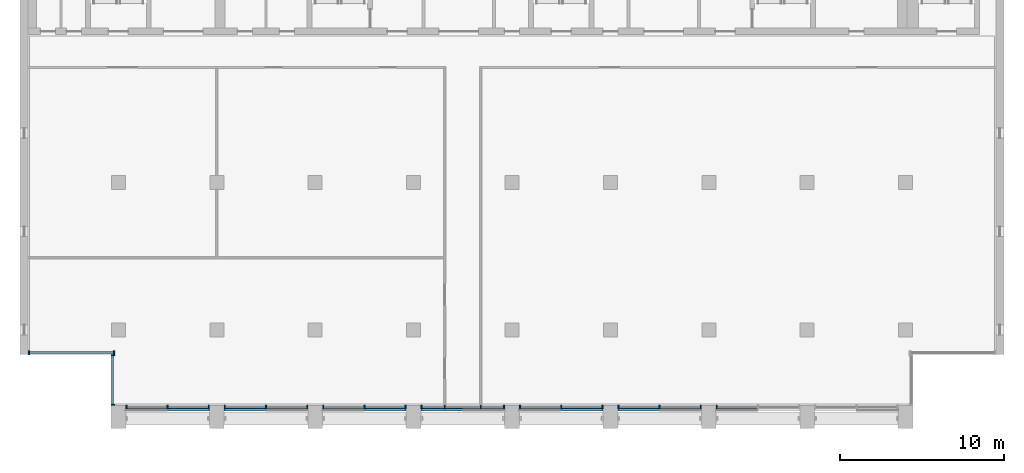
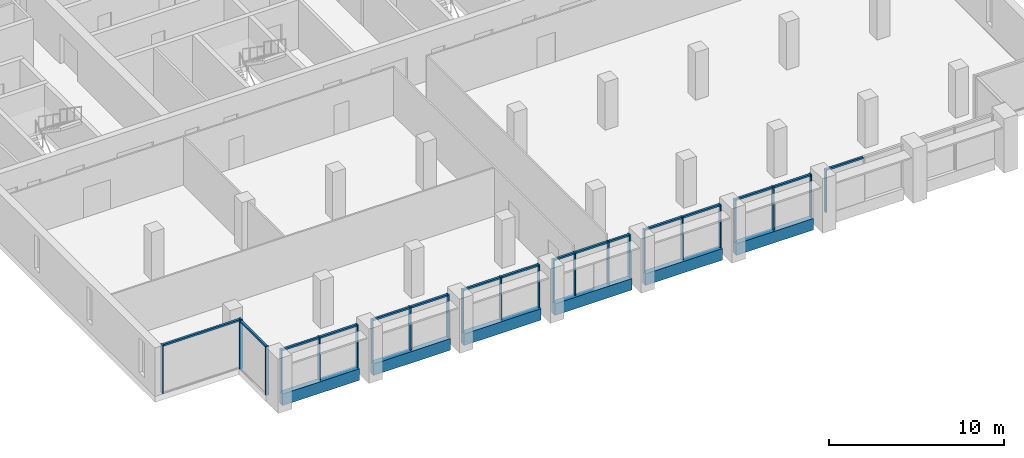
# One storey, part 2 of 14: 40 members, 6 beams, 9 elements without a shape of their own.
"""IFC4 building model written with IfcOpenShell, lengths in metres."""

from ifc_helpers import new_model, si_unit, direction, frame, origin, origin_2d, place, context, subcontext, project, spatial, rectangle, extrude, material, material_profile, profile_set, type_object, element, aggregate, save


model = new_model("IFC4")

# Units and contexts
model_context = context("Model", 3, precision=1e-05, world=origin(), true_north=direction((0.0, 1.0)))
body_context = subcontext(model_context, "Body", "Model", "MODEL_VIEW")
ifc_project = project(units=[si_unit("LENGTHUNIT", "METRE"), si_unit("AREAUNIT", "SQUARE_METRE"), si_unit("VOLUMEUNIT", "CUBIC_METRE"), si_unit("PLANEANGLEUNIT", "RADIAN"), si_unit("MASSUNIT", "GRAM", prefix="KILO")], contexts=[model_context])

# Site, building, storey
site_placement = place(None, origin())
site = spatial("IfcSite", under=ifc_project, at=site_placement, CompositionType="ELEMENT")
building_placement = place(site_placement, origin())
building = spatial("IfcBuilding", under=site, at=building_placement, Name="Calvaro Tower", CompositionType="ELEMENT")
storey_placement = place(building_placement, frame((0.0, 0.0, 250.75)))
storey = spatial("IfcBuildingStorey", under=building, at=storey_placement, Name="L63", CompositionType="ELEMENT", Elevation=250.75)

# Curtain wall, members
ifc_material_1 = material(Name="Anodised aluminium", Category="aluminium")
curtain_wall_type = type_object("IfcCurtainWallType", Name="Executive curtain wall", PredefinedType="NOTDEFINED", material=ifc_material_1)
curtain_wall_1_placement = place(storey_placement, origin())
curtain_wall_1 = element("IfcCurtainWall", 1, at=curtain_wall_1_placement, inside=storey, type_object=curtain_wall_type, Name="CW4 south curtain wall", PredefinedType="NOTDEFINED")
ifc_material_2 = material(Name="Anodised aluminium", Category="aluminium")
ifc_material_profile_1 = material_profile(ifc_material_2, rectangle(XDim=0.219970703125, YDim=0.080078125, at=origin_2d()), Name="Mullion S4 80 x 220")
ifc_profile_set_1 = profile_set([ifc_material_profile_1], Name="Anodised aluminium")
member_type_1 = type_object("IfcMemberType", Name="Mullion S4 80 x 220", PredefinedType="MULLION", material=ifc_profile_set_1)
member_1_placement = place(storey_placement, frame((12.489990234375, 5.2900390625, 0.0), z_axis=(0.0, 0.0, 1.0), x_axis=(0.0, 1.0, 0.0)))
member_1 = element("IfcMember", 2, at=member_1_placement, type_object=member_type_1, Name="CW4 mullion 1", PredefinedType="MULLION", context=body_context, shape_type="SweptSolid", body=[
    extrude(rectangle(XDim=0.219970703125, YDim=0.080078125, at=origin_2d()), origin(), (0.0, 0.0, 1.0), 3.0),
])
member_2_placement = place(storey_placement, frame((15.0, 5.2900390625, 0.0), z_axis=(0.0, 0.0, 1.0), x_axis=(0.0, 1.0, 0.0)))
member_2 = element("IfcMember", 3, at=member_2_placement, type_object=member_type_1, Name="CW4 mullion 2", PredefinedType="MULLION", context=body_context, shape_type="SweptSolid", body=[
    extrude(rectangle(XDim=0.219970703125, YDim=0.080078125, at=origin_2d()), origin(), (0.0, 0.0, 1.0), 3.0),
])
member_3_placement = place(storey_placement, frame((17.510009765625, 5.2900390625, 0.0), z_axis=(0.0, 0.0, 1.0), x_axis=(0.0, 1.0, 0.0)))
member_3 = element("IfcMember", 4, at=member_3_placement, type_object=member_type_1, Name="CW4 mullion 3", PredefinedType="MULLION", context=body_context, shape_type="SweptSolid", body=[
    extrude(rectangle(XDim=0.219970703125, YDim=0.080078125, at=origin_2d()), origin(), (0.0, 0.0, 1.0), 3.0),
])

curtain_wall_2_placement = place(storey_placement, origin())
curtain_wall_2 = element("IfcCurtainWall", 5, at=curtain_wall_2_placement, inside=storey, type_object=curtain_wall_type, Name="CW4 south curtain wall", PredefinedType="NOTDEFINED")
member_4_placement = place(storey_placement, frame((18.489990234375, 5.2900390625, 0.0), z_axis=(0.0, 0.0, 1.0), x_axis=(0.0, 1.0, 0.0)))
member_4 = element("IfcMember", 6, at=member_4_placement, type_object=member_type_1, Name="CW4 mullion 1", PredefinedType="MULLION", context=body_context, shape_type="SweptSolid", body=[
    extrude(rectangle(XDim=0.219970703125, YDim=0.080078125, at=origin_2d()), origin(), (0.0, 0.0, 1.0), 3.0),
])
member_5_placement = place(storey_placement, frame((21.0, 5.2900390625, 0.0), z_axis=(0.0, 0.0, 1.0), x_axis=(0.0, 1.0, 0.0)))
member_5 = element("IfcMember", 7, at=member_5_placement, type_object=member_type_1, Name="CW4 mullion 2", PredefinedType="MULLION", context=body_context, shape_type="SweptSolid", body=[
    extrude(rectangle(XDim=0.219970703125, YDim=0.080078125, at=origin_2d()), origin(), (0.0, 0.0, 1.0), 3.0),
])
member_6_placement = place(storey_placement, frame((23.510009765625, 5.2900390625, 0.0), z_axis=(0.0, 0.0, 1.0), x_axis=(0.0, 1.0, 0.0)))
member_6 = element("IfcMember", 8, at=member_6_placement, type_object=member_type_1, Name="CW4 mullion 3", PredefinedType="MULLION", context=body_context, shape_type="SweptSolid", body=[
    extrude(rectangle(XDim=0.219970703125, YDim=0.080078125, at=origin_2d()), origin(), (0.0, 0.0, 1.0), 3.0),
])

curtain_wall_3_placement = place(storey_placement, origin())
curtain_wall_3 = element("IfcCurtainWall", 9, at=curtain_wall_3_placement, inside=storey, type_object=curtain_wall_type, Name="CW4 south curtain wall", PredefinedType="NOTDEFINED")
member_7_placement = place(storey_placement, frame((24.489990234375, 5.2900390625, 0.0), z_axis=(0.0, 0.0, 1.0), x_axis=(0.0, 1.0, 0.0)))
member_7 = element("IfcMember", 10, at=member_7_placement, type_object=member_type_1, Name="CW4 mullion 1", PredefinedType="MULLION", context=body_context, shape_type="SweptSolid", body=[
    extrude(rectangle(XDim=0.219970703125, YDim=0.080078125, at=origin_2d()), origin(), (0.0, 0.0, 1.0), 3.0),
])
member_8_placement = place(storey_placement, frame((27.0, 5.2900390625, 0.0), z_axis=(0.0, 0.0, 1.0), x_axis=(0.0, 1.0, 0.0)))
member_8 = element("IfcMember", 11, at=member_8_placement, type_object=member_type_1, Name="CW4 mullion 2", PredefinedType="MULLION", context=body_context, shape_type="SweptSolid", body=[
    extrude(rectangle(XDim=0.219970703125, YDim=0.080078125, at=origin_2d()), origin(), (0.0, 0.0, 1.0), 3.0),
])
member_9_placement = place(storey_placement, frame((29.510009765625, 5.2900390625, 0.0), z_axis=(0.0, 0.0, 1.0), x_axis=(0.0, 1.0, 0.0)))
member_9 = element("IfcMember", 12, at=member_9_placement, type_object=member_type_1, Name="CW4 mullion 3", PredefinedType="MULLION", context=body_context, shape_type="SweptSolid", body=[
    extrude(rectangle(XDim=0.219970703125, YDim=0.080078125, at=origin_2d()), origin(), (0.0, 0.0, 1.0), 3.0),
])

curtain_wall_4_placement = place(storey_placement, origin())
curtain_wall_4 = element("IfcCurtainWall", 13, at=curtain_wall_4_placement, inside=storey, type_object=curtain_wall_type, Name="CW4 south curtain wall", PredefinedType="NOTDEFINED")
member_10_placement = place(storey_placement, frame((30.489990234375, 5.2900390625, 0.0), z_axis=(0.0, 0.0, 1.0), x_axis=(0.0, 1.0, 0.0)))
member_10 = element("IfcMember", 14, at=member_10_placement, type_object=member_type_1, Name="CW4 mullion 1", PredefinedType="MULLION", context=body_context, shape_type="SweptSolid", body=[
    extrude(rectangle(XDim=0.219970703125, YDim=0.080078125, at=origin_2d()), origin(), (0.0, 0.0, 1.0), 3.0),
])
member_11_placement = place(storey_placement, frame((31.89990234375, 5.2900390625, 0.0), z_axis=(0.0, 0.0, 1.0), x_axis=(0.0, 1.0, 0.0)))
member_11 = element("IfcMember", 15, at=member_11_placement, type_object=member_type_1, Name="CW4 mullion 2", PredefinedType="MULLION", context=body_context, shape_type="SweptSolid", body=[
    extrude(rectangle(XDim=0.219970703125, YDim=0.080078125, at=origin_2d()), origin(), (0.0, 0.0, 1.0), 3.0),
])
member_12_placement = place(storey_placement, frame((34.10009765625, 5.2900390625, 0.0), z_axis=(0.0, 0.0, 1.0), x_axis=(0.0, 1.0, 0.0)))
member_12 = element("IfcMember", 16, at=member_12_placement, type_object=member_type_1, Name="CW4 mullion 3", PredefinedType="MULLION", context=body_context, shape_type="SweptSolid", body=[
    extrude(rectangle(XDim=0.219970703125, YDim=0.080078125, at=origin_2d()), origin(), (0.0, 0.0, 1.0), 3.0),
])
member_13_placement = place(storey_placement, frame((35.510009765625, 5.2900390625, 0.0), z_axis=(0.0, 0.0, 1.0), x_axis=(0.0, 1.0, 0.0)))
member_13 = element("IfcMember", 17, at=member_13_placement, type_object=member_type_1, Name="CW4 mullion 4", PredefinedType="MULLION", context=body_context, shape_type="SweptSolid", body=[
    extrude(rectangle(XDim=0.219970703125, YDim=0.080078125, at=origin_2d()), origin(), (0.0, 0.0, 1.0), 3.0),
])

curtain_wall_5_placement = place(storey_placement, origin())
curtain_wall_5 = element("IfcCurtainWall", 18, at=curtain_wall_5_placement, inside=storey, type_object=curtain_wall_type, Name="CW4 south curtain wall", PredefinedType="NOTDEFINED")
member_14_placement = place(storey_placement, frame((36.489990234375, 5.2900390625, 0.0), z_axis=(0.0, 0.0, 1.0), x_axis=(0.0, 1.0, 0.0)))
member_14 = element("IfcMember", 19, at=member_14_placement, type_object=member_type_1, Name="CW4 mullion 1", PredefinedType="MULLION", context=body_context, shape_type="SweptSolid", body=[
    extrude(rectangle(XDim=0.219970703125, YDim=0.080078125, at=origin_2d()), origin(), (0.0, 0.0, 1.0), 3.0),
])
member_15_placement = place(storey_placement, frame((39.0, 5.2900390625, 0.0), z_axis=(0.0, 0.0, 1.0), x_axis=(0.0, 1.0, 0.0)))
member_15 = element("IfcMember", 20, at=member_15_placement, type_object=member_type_1, Name="CW4 mullion 2", PredefinedType="MULLION", context=body_context, shape_type="SweptSolid", body=[
    extrude(rectangle(XDim=0.219970703125, YDim=0.080078125, at=origin_2d()), origin(), (0.0, 0.0, 1.0), 3.0),
])
member_16_placement = place(storey_placement, frame((41.510009765625, 5.2900390625, 0.0), z_axis=(0.0, 0.0, 1.0), x_axis=(0.0, 1.0, 0.0)))
member_16 = element("IfcMember", 21, at=member_16_placement, type_object=member_type_1, Name="CW4 mullion 3", PredefinedType="MULLION", context=body_context, shape_type="SweptSolid", body=[
    extrude(rectangle(XDim=0.219970703125, YDim=0.080078125, at=origin_2d()), origin(), (0.0, 0.0, 1.0), 3.0),
])

curtain_wall_6_placement = place(storey_placement, origin())
curtain_wall_6 = element("IfcCurtainWall", 22, at=curtain_wall_6_placement, inside=storey, type_object=curtain_wall_type, Name="CW4 south curtain wall", PredefinedType="NOTDEFINED")
member_17_placement = place(storey_placement, frame((42.489990234375, 5.2900390625, 0.0), z_axis=(0.0, 0.0, 1.0), x_axis=(0.0, 1.0, 0.0)))
member_17 = element("IfcMember", 23, at=member_17_placement, type_object=member_type_1, Name="CW4 mullion 1", PredefinedType="MULLION", context=body_context, shape_type="SweptSolid", body=[
    extrude(rectangle(XDim=0.219970703125, YDim=0.080078125, at=origin_2d()), origin(), (0.0, 0.0, 1.0), 3.0),
])
member_18_placement = place(storey_placement, frame((45.0, 5.2900390625, 0.0), z_axis=(0.0, 0.0, 1.0), x_axis=(0.0, 1.0, 0.0)))
member_18 = element("IfcMember", 24, at=member_18_placement, type_object=member_type_1, Name="CW4 mullion 2", PredefinedType="MULLION", context=body_context, shape_type="SweptSolid", body=[
    extrude(rectangle(XDim=0.219970703125, YDim=0.080078125, at=origin_2d()), origin(), (0.0, 0.0, 1.0), 3.0),
])
member_19_placement = place(storey_placement, frame((47.510009765625, 5.2900390625, 0.0), z_axis=(0.0, 0.0, 1.0), x_axis=(0.0, 1.0, 0.0)))
member_19 = element("IfcMember", 25, at=member_19_placement, type_object=member_type_1, Name="CW4 mullion 3", PredefinedType="MULLION", context=body_context, shape_type="SweptSolid", body=[
    extrude(rectangle(XDim=0.219970703125, YDim=0.080078125, at=origin_2d()), origin(), (0.0, 0.0, 1.0), 3.0),
])

# Curtain wall, member
curtain_wall_7_placement = place(storey_placement, origin())
curtain_wall_7 = element("IfcCurtainWall", 26, at=curtain_wall_7_placement, inside=storey, type_object=curtain_wall_type, Name="CW4 south curtain wall", PredefinedType="NOTDEFINED")
member_20_placement = place(storey_placement, frame((48.489990234375, 5.2900390625, 0.0), z_axis=(0.0, 0.0, 1.0), x_axis=(0.0, 1.0, 0.0)))
member_20 = element("IfcMember", 27, at=member_20_placement, type_object=member_type_1, Name="CW4 mullion 1", PredefinedType="MULLION", context=body_context, shape_type="SweptSolid", body=[
    extrude(rectangle(XDim=0.219970703125, YDim=0.080078125, at=origin_2d()), origin(), (0.0, 0.0, 1.0), 3.0),
])

# Curtain wall, members
curtain_wall_8_placement = place(storey_placement, origin())
curtain_wall_8 = element("IfcCurtainWall", 28, at=curtain_wall_8_placement, inside=storey, type_object=curtain_wall_type, Name="CW4 corner curtain wall", PredefinedType="NOTDEFINED")
member_21_placement = place(storey_placement, frame((11.659912109375, 5.43994140625, 0.0), z_axis=(0.0, 0.0, 1.0), x_axis=(-1.0, 0.0, 0.0)))
member_21 = element("IfcMember", 29, at=member_21_placement, type_object=member_type_1, Name="CW4 mullion 1", PredefinedType="MULLION", context=body_context, shape_type="SweptSolid", body=[
    extrude(rectangle(XDim=0.219970703125, YDim=0.080078125, at=origin_2d()), origin(), (0.0, 0.0, 1.0), 3.39990234375),
])
member_22_placement = place(storey_placement, frame((11.659912109375, 8.4599609375, 0.0), z_axis=(0.0, 0.0, 1.0), x_axis=(-1.0, 0.0, 0.0)))
member_22 = element("IfcMember", 30, at=member_22_placement, type_object=member_type_1, Name="CW4 mullion 2", PredefinedType="MULLION", context=body_context, shape_type="SweptSolid", body=[
    extrude(rectangle(XDim=0.219970703125, YDim=0.080078125, at=origin_2d()), origin(), (0.0, 0.0, 1.0), 3.39990234375),
])

curtain_wall_9_placement = place(storey_placement, origin())
curtain_wall_9 = element("IfcCurtainWall", 31, at=curtain_wall_9_placement, inside=storey, type_object=curtain_wall_type, Name="CW4 corner curtain wall", PredefinedType="NOTDEFINED")
member_23_placement = place(storey_placement, frame((6.5400390625, 8.610107421875, 0.0), z_axis=(0.0, 0.0, 1.0), x_axis=(0.0, 1.0, 0.0)))
member_23 = element("IfcMember", 32, at=member_23_placement, type_object=member_type_1, Name="CW4 mullion 1", PredefinedType="MULLION", context=body_context, shape_type="SweptSolid", body=[
    extrude(rectangle(XDim=0.219970703125, YDim=0.080078125, at=origin_2d()), origin(), (0.0, 0.0, 1.0), 3.39990234375),
])
member_24_placement = place(storey_placement, frame((11.72998046875, 8.610107421875, 0.0), z_axis=(0.0, 0.0, 1.0), x_axis=(0.0, 1.0, 0.0)))
member_24 = element("IfcMember", 33, at=member_24_placement, type_object=member_type_1, Name="CW4 mullion 2", PredefinedType="MULLION", context=body_context, shape_type="SweptSolid", body=[
    extrude(rectangle(XDim=0.219970703125, YDim=0.080078125, at=origin_2d()), origin(), (0.0, 0.0, 1.0), 3.39990234375),
])

# Beams
ifc_material_3 = material(Name="Concrete C50/60 precast", Category="concrete")
ifc_material_profile_2 = material_profile(ifc_material_3, rectangle(XDim=0.35009765625, YDim=0.800048828125, at=origin_2d()), Name="RC 350x800")
ifc_profile_set_2 = profile_set([ifc_material_profile_2], Name="Concrete C50/60 precast")
beam_type = type_object("IfcBeamType", Name="Spandrel beam 350x800 C50/60", PredefinedType="SPANDREL", material=ifc_profile_set_2)
for number, where, z_axis, x_axis, name in (
    (34, (12.449951171875, 5.22509765625, -0.39990234375), (1.0, 0.0, 0.0), (0.0, 1.0, 0.0), "Spandrel beam"),
    (35, (18.449951171875, 5.22509765625, -0.39990234375), (1.0, 0.0, 0.0), (0.0, 1.0, 0.0), "Spandrel beam"),
    (36, (24.449951171875, 5.22509765625, -0.39990234375), (1.0, 0.0, 0.0), (0.0, 1.0, 0.0), "Spandrel beam"),
    (37, (30.449951171875, 5.22509765625, -0.39990234375), (1.0, 0.0, 0.0), (0.0, 1.0, 0.0), "Spandrel beam"),
    (38, (36.449951171875, 5.22509765625, -0.39990234375), (1.0, 0.0, 0.0), (0.0, 1.0, 0.0), "Spandrel beam"),
    (39, (42.449951171875, 5.22509765625, -0.39990234375), (1.0, 0.0, 0.0), (0.0, 1.0, 0.0), "Spandrel beam"),
):
    element("IfcBeam", number, at=place(storey_placement, frame(where, z_axis=z_axis, x_axis=x_axis)), inside=storey, type_object=beam_type, Name=name, PredefinedType="SPANDREL", context=body_context, shape_type="SweptSolid", body=[
        extrude(rectangle(XDim=0.35009765625, YDim=0.800048828125, at=origin_2d()), origin(), (0.0, 0.0, 1.0), 5.10009765625),
    ])

# Member
ifc_material_4 = material(Name="Anodised aluminium", Category="aluminium")
ifc_material_profile_3 = material_profile(ifc_material_4, rectangle(XDim=0.139892578125, YDim=0.1201171875, at=origin_2d()), Name="Transom S4 120 x 140")
ifc_profile_set_3 = profile_set([ifc_material_profile_3], Name="Anodised aluminium")
member_type_2 = type_object("IfcMemberType", Name="Transom S4 120 x 140", PredefinedType="USERDEFINED", material=ifc_profile_set_3)
member_25_placement = place(storey_placement, frame((12.530029296875, 5.2900390625, 2.93994140625), z_axis=(1.0, 0.0, 0.0), x_axis=(0.0, 1.0, 0.0)))
member_25 = element("IfcMember", 40, at=member_25_placement, type_object=member_type_2, Name="CW4 transom 1.1", ObjectType="TRANSOM", PredefinedType="USERDEFINED", context=body_context, shape_type="SweptSolid", body=[
    extrude(rectangle(XDim=0.139892578125, YDim=0.1201171875, at=origin_2d()), origin(), (0.0, 0.0, 1.0), 2.429931640625),
])

member_26_placement = place(storey_placement, frame((15.0400390625, 5.2900390625, 2.93994140625), z_axis=(1.0, 0.0, 0.0), x_axis=(0.0, 1.0, 0.0)))
member_26 = element("IfcMember", 41, at=member_26_placement, type_object=member_type_2, Name="CW4 transom 2.1", ObjectType="TRANSOM", PredefinedType="USERDEFINED", context=body_context, shape_type="SweptSolid", body=[
    extrude(rectangle(XDim=0.139892578125, YDim=0.1201171875, at=origin_2d()), origin(), (0.0, 0.0, 1.0), 2.429931640625),
])

aggregate(curtain_wall_1, [member_1, member_2, member_3, member_25, member_26])

member_27_placement = place(storey_placement, frame((18.530029296875, 5.2900390625, 2.93994140625), z_axis=(1.0, 0.0, 0.0), x_axis=(0.0, 1.0, 0.0)))
member_27 = element("IfcMember", 42, at=member_27_placement, type_object=member_type_2, Name="CW4 transom 1.1", ObjectType="TRANSOM", PredefinedType="USERDEFINED", context=body_context, shape_type="SweptSolid", body=[
    extrude(rectangle(XDim=0.139892578125, YDim=0.1201171875, at=origin_2d()), origin(), (0.0, 0.0, 1.0), 2.429931640625),
])

member_28_placement = place(storey_placement, frame((21.0400390625, 5.2900390625, 2.93994140625), z_axis=(1.0, 0.0, 0.0), x_axis=(0.0, 1.0, 0.0)))
member_28 = element("IfcMember", 43, at=member_28_placement, type_object=member_type_2, Name="CW4 transom 2.1", ObjectType="TRANSOM", PredefinedType="USERDEFINED", context=body_context, shape_type="SweptSolid", body=[
    extrude(rectangle(XDim=0.139892578125, YDim=0.1201171875, at=origin_2d()), origin(), (0.0, 0.0, 1.0), 2.429931640625),
])

aggregate(curtain_wall_2, [member_4, member_5, member_6, member_27, member_28])

member_29_placement = place(storey_placement, frame((24.530029296875, 5.2900390625, 2.93994140625), z_axis=(1.0, 0.0, 0.0), x_axis=(0.0, 1.0, 0.0)))
member_29 = element("IfcMember", 44, at=member_29_placement, type_object=member_type_2, Name="CW4 transom 1.1", ObjectType="TRANSOM", PredefinedType="USERDEFINED", context=body_context, shape_type="SweptSolid", body=[
    extrude(rectangle(XDim=0.139892578125, YDim=0.1201171875, at=origin_2d()), origin(), (0.0, 0.0, 1.0), 2.429931640625),
])

member_30_placement = place(storey_placement, frame((27.0400390625, 5.2900390625, 2.93994140625), z_axis=(1.0, 0.0, 0.0), x_axis=(0.0, 1.0, 0.0)))
member_30 = element("IfcMember", 45, at=member_30_placement, type_object=member_type_2, Name="CW4 transom 2.1", ObjectType="TRANSOM", PredefinedType="USERDEFINED", context=body_context, shape_type="SweptSolid", body=[
    extrude(rectangle(XDim=0.139892578125, YDim=0.1201171875, at=origin_2d()), origin(), (0.0, 0.0, 1.0), 2.429931640625),
])

aggregate(curtain_wall_3, [member_7, member_8, member_9, member_29, member_30])

member_31_placement = place(storey_placement, frame((30.530029296875, 5.2900390625, 2.93994140625), z_axis=(1.0, 0.0, 0.0), x_axis=(0.0, 1.0, 0.0)))
member_31 = element("IfcMember", 46, at=member_31_placement, type_object=member_type_2, Name="CW4 transom 1.1", ObjectType="TRANSOM", PredefinedType="USERDEFINED", context=body_context, shape_type="SweptSolid", body=[
    extrude(rectangle(XDim=0.139892578125, YDim=0.1201171875, at=origin_2d()), origin(), (0.0, 0.0, 1.0), 1.330078125),
])

member_32_placement = place(storey_placement, frame((31.93994140625, 5.2900390625, 2.93994140625), z_axis=(1.0, 0.0, 0.0), x_axis=(0.0, 1.0, 0.0)))
member_32 = element("IfcMember", 47, at=member_32_placement, type_object=member_type_2, Name="CW4 transom 2.1", ObjectType="TRANSOM", PredefinedType="USERDEFINED", context=body_context, shape_type="SweptSolid", body=[
    extrude(rectangle(XDim=0.139892578125, YDim=0.1201171875, at=origin_2d()), origin(), (0.0, 0.0, 1.0), 2.1201171875),
])

member_33_placement = place(storey_placement, frame((34.139892578125, 5.2900390625, 2.93994140625), z_axis=(1.0, 0.0, 0.0), x_axis=(0.0, 1.0, 0.0)))
member_33 = element("IfcMember", 48, at=member_33_placement, type_object=member_type_2, Name="CW4 transom 3.1", ObjectType="TRANSOM", PredefinedType="USERDEFINED", context=body_context, shape_type="SweptSolid", body=[
    extrude(rectangle(XDim=0.139892578125, YDim=0.1201171875, at=origin_2d()), origin(), (0.0, 0.0, 1.0), 1.330078125),
])

aggregate(curtain_wall_4, [member_10, member_11, member_12, member_13, member_31, member_32, member_33])

member_34_placement = place(storey_placement, frame((36.530029296875, 5.2900390625, 2.93994140625), z_axis=(1.0, 0.0, 0.0), x_axis=(0.0, 1.0, 0.0)))
member_34 = element("IfcMember", 49, at=member_34_placement, type_object=member_type_2, Name="CW4 transom 1.1", ObjectType="TRANSOM", PredefinedType="USERDEFINED", context=body_context, shape_type="SweptSolid", body=[
    extrude(rectangle(XDim=0.139892578125, YDim=0.1201171875, at=origin_2d()), origin(), (0.0, 0.0, 1.0), 2.429931640625),
])

member_35_placement = place(storey_placement, frame((39.0400390625, 5.2900390625, 2.93994140625), z_axis=(1.0, 0.0, 0.0), x_axis=(0.0, 1.0, 0.0)))
member_35 = element("IfcMember", 50, at=member_35_placement, type_object=member_type_2, Name="CW4 transom 2.1", ObjectType="TRANSOM", PredefinedType="USERDEFINED", context=body_context, shape_type="SweptSolid", body=[
    extrude(rectangle(XDim=0.139892578125, YDim=0.1201171875, at=origin_2d()), origin(), (0.0, 0.0, 1.0), 2.429931640625),
])

aggregate(curtain_wall_5, [member_14, member_15, member_16, member_34, member_35])

member_36_placement = place(storey_placement, frame((42.530029296875, 5.2900390625, 2.93994140625), z_axis=(1.0, 0.0, 0.0), x_axis=(0.0, 1.0, 0.0)))
member_36 = element("IfcMember", 51, at=member_36_placement, type_object=member_type_2, Name="CW4 transom 1.1", ObjectType="TRANSOM", PredefinedType="USERDEFINED", context=body_context, shape_type="SweptSolid", body=[
    extrude(rectangle(XDim=0.139892578125, YDim=0.1201171875, at=origin_2d()), origin(), (0.0, 0.0, 1.0), 2.429931640625),
])

member_37_placement = place(storey_placement, frame((45.0400390625, 5.2900390625, 2.93994140625), z_axis=(1.0, 0.0, 0.0), x_axis=(0.0, 1.0, 0.0)))
member_37 = element("IfcMember", 52, at=member_37_placement, type_object=member_type_2, Name="CW4 transom 2.1", ObjectType="TRANSOM", PredefinedType="USERDEFINED", context=body_context, shape_type="SweptSolid", body=[
    extrude(rectangle(XDim=0.139892578125, YDim=0.1201171875, at=origin_2d()), origin(), (0.0, 0.0, 1.0), 2.429931640625),
])

aggregate(curtain_wall_6, [member_17, member_18, member_19, member_36, member_37])

member_38_placement = place(storey_placement, frame((48.530029296875, 5.2900390625, 2.93994140625), z_axis=(1.0, 0.0, 0.0), x_axis=(0.0, 1.0, 0.0)))
member_38 = element("IfcMember", 53, at=member_38_placement, type_object=member_type_2, Name="CW4 transom 1.1", ObjectType="TRANSOM", PredefinedType="USERDEFINED", context=body_context, shape_type="SweptSolid", body=[
    extrude(rectangle(XDim=0.139892578125, YDim=0.1201171875, at=origin_2d()), origin(), (0.0, 0.0, 1.0), 2.429931640625),
])

aggregate(curtain_wall_7, [member_20, member_38])

member_39_placement = place(storey_placement, frame((11.659912109375, 5.47998046875, 3.340087890625), z_axis=(0.0, 1.0, 0.0), x_axis=(-1.0, 0.0, 0.0)))
member_39 = element("IfcMember", 54, at=member_39_placement, type_object=member_type_2, Name="CW4 transom 1.1", ObjectType="TRANSOM", PredefinedType="USERDEFINED", context=body_context, shape_type="SweptSolid", body=[
    extrude(rectangle(XDim=0.139892578125, YDim=0.1201171875, at=origin_2d()), origin(), (0.0, 0.0, 1.0), 2.93994140625),
])

aggregate(curtain_wall_8, [member_21, member_22, member_39])

member_40_placement = place(storey_placement, frame((6.580078125, 8.610107421875, 3.340087890625), z_axis=(1.0, 0.0, 0.0), x_axis=(0.0, 1.0, 0.0)))
member_40 = element("IfcMember", 55, at=member_40_placement, type_object=member_type_2, Name="CW4 transom 1.1", ObjectType="TRANSOM", PredefinedType="USERDEFINED", context=body_context, shape_type="SweptSolid", body=[
    extrude(rectangle(XDim=0.139892578125, YDim=0.1201171875, at=origin_2d()), origin(), (0.0, 0.0, 1.0), 5.10986328125),
])

aggregate(curtain_wall_9, [member_23, member_24, member_40])

save(model, "model.ifc")
